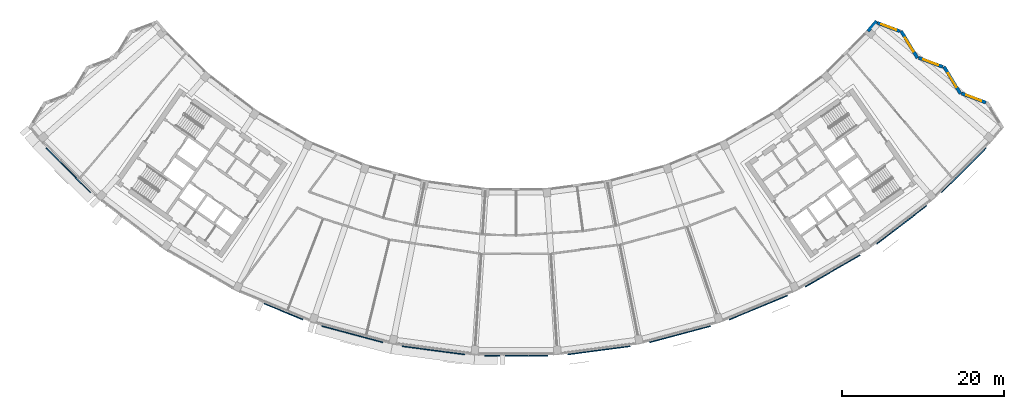
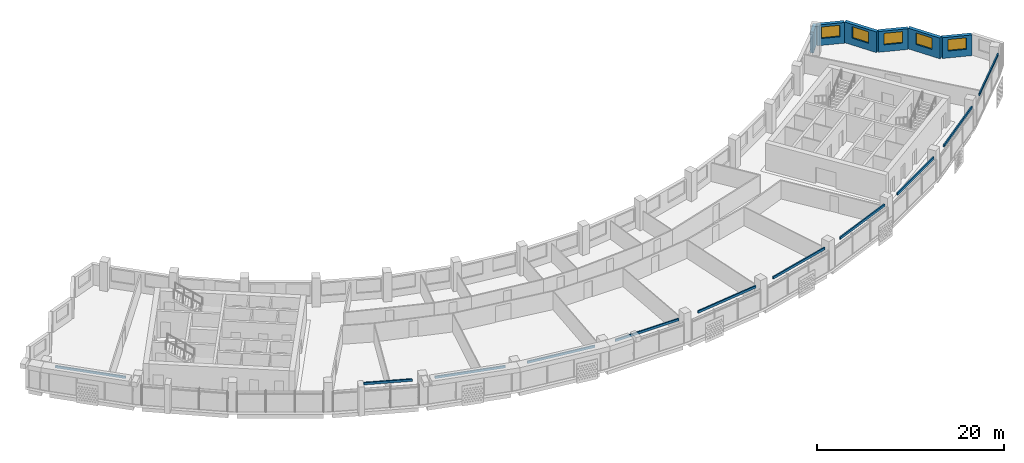
# One storey, part 8 of 28: 11 discrete accessories, 6 walls, 5 windows, 5 openings.
"""IFC4 building model written with IfcOpenShell, lengths in metres."""

from ifc_helpers import new_model, si_unit, direction, frame, frame_2d, origin, origin_2d, place, context, subcontext, project, spatial, rectangle, extrude, material, layer, layer_set, type_object, element, fill, save


model = new_model("IFC4")

# Units and contexts
model_context = context("Model", 3, precision=1e-05, world=origin(), true_north=direction((0.0, 1.0)))
body_context = subcontext(model_context, "Body", "Model", "MODEL_VIEW")
ifc_project = project(units=[si_unit("LENGTHUNIT", "METRE"), si_unit("AREAUNIT", "SQUARE_METRE"), si_unit("VOLUMEUNIT", "CUBIC_METRE"), si_unit("PLANEANGLEUNIT", "RADIAN"), si_unit("MASSUNIT", "GRAM", prefix="KILO")], contexts=[model_context])

# Site, building, storey
site_placement = place(None, origin())
site = spatial("IfcSite", under=ifc_project, at=site_placement, CompositionType="ELEMENT")
building_placement = place(site_placement, origin())
building = spatial("IfcBuilding", under=site, at=building_placement, Name="Qamariyya Broadcast Tower", CompositionType="ELEMENT")
storey_placement = place(building_placement, frame((0.0, 0.0, 269.5)))
storey = spatial("IfcBuildingStorey", under=building, at=storey_placement, Name="L65", CompositionType="ELEMENT", Elevation=269.5)

# Wall, opening, window
ifc_material_1 = material(Name="Terracotta", Category="masonry")
ifc_layer = layer(ifc_material_1, 0.39990234375)
ifc_layer_set = layer_set([ifc_layer], Name="Terracotta clad wall 400")
wall_type = type_object("IfcWallType", Name="Terracotta clad wall 400", PredefinedType="SOLIDWALL", material=ifc_layer_set)
wall_1_placement = place(storey_placement, frame((58.068115234375, -46.97021484375, 0.0), z_axis=(0.0, 0.0, 1.0), x_axis=(-0.937023375479, 0.349266651437, 0.0)))
wall_1 = element("IfcWall", 1, at=wall_1_placement, inside=storey, type_object=wall_type, Name="e-wl-L65-capE1", PredefinedType="SOLIDWALL", context=body_context, shape_type="SweptSolid", body=[
    extrude(rectangle(XDim=3.199951171875, YDim=0.39990234375, at=frame_2d((1.60009765625, 0.0))), origin(), (0.0, 0.0, 1.0), 2.699951171875),
])
opening_1_placement = place(wall_1_placement, frame((0.60009765625, 0.0, 0.89990234375)))
opening_1 = element("IfcOpeningElement", 2, at=opening_1_placement, cuts=wall_1, Name="Opening W4", PredefinedType="OPENING", context=body_context, shape_type="SweptSolid", body=[
    extrude(rectangle(XDim=2.0, YDim=1.5, at=frame_2d((1.0, 0.75))), frame((0.0, 0.2099609375, 0.0), z_axis=(0.0, -1.0, 0.0), x_axis=(1.0, 0.0, 0.0)), (0.0, 0.0, 1.0), 0.419921875),
])
ifc_material_2 = material(Name="Clear low-e double glazed unit in aluminium frame", Category="aluminium")
window_type = type_object("IfcWindowType", Name="Horn bay window 2000 x 1500", PartitioningType="SINGLE_PANEL", PredefinedType="WINDOW", material=ifc_material_2)
window_1_placement = place(opening_1_placement, origin())
window_1 = element("IfcWindow", 3, at=window_1_placement, inside=storey, type_object=window_type, Name="e-w-L65-capE1", OverallHeight=1.5, OverallWidth=2.0, PartitioningType="SINGLE_PANEL", PredefinedType="WINDOW", context=body_context, shape_type="SweptSolid", body=[
    extrude(rectangle(XDim=2.0, YDim=1.5, at=frame_2d((1.0, 0.75))), frame((0.0, 0.030029296875, 0.0), z_axis=(0.0, -1.0, 0.0), x_axis=(1.0, 0.0, 0.0)), (0.0, 0.0, 1.0), 0.06005859375),
])
fill(opening_1, window_1)

wall_2_placement = place(storey_placement, frame((54.926513671875, -45.882080078125, 0.0), z_axis=(0.0, 0.0, 1.0), x_axis=(-0.51807905703, 0.855332736815, 0.0)))
wall_2 = element("IfcWall", 4, at=wall_2_placement, inside=storey, type_object=wall_type, Name="e-wl-L65-capE2", PredefinedType="SOLIDWALL", context=body_context, shape_type="SweptSolid", body=[
    extrude(rectangle(XDim=3.912841796875, YDim=0.39990234375, at=frame_2d((1.95654296875, 0.0))), origin(), (0.0, 0.0, 1.0), 2.699951171875),
])
opening_2_placement = place(wall_2_placement, frame((0.956298828125, 0.0, 0.89990234375)))
opening_2 = element("IfcOpeningElement", 5, at=opening_2_placement, cuts=wall_2, Name="Opening W4", PredefinedType="OPENING", context=body_context, shape_type="SweptSolid", body=[
    extrude(rectangle(XDim=2.0, YDim=1.5, at=frame_2d((1.0, 0.75))), frame((0.0, 0.2099609375, 0.0), z_axis=(0.0, -1.0, 0.0), x_axis=(1.0, 0.0, 0.0)), (0.0, 0.0, 1.0), 0.419921875),
])
window_2_placement = place(opening_2_placement, origin())
window_2 = element("IfcWindow", 6, at=window_2_placement, inside=storey, type_object=window_type, Name="e-w-L65-capE2", OverallHeight=1.5, OverallWidth=2.0, PartitioningType="SINGLE_PANEL", PredefinedType="WINDOW", context=body_context, shape_type="SweptSolid", body=[
    extrude(rectangle(XDim=2.0, YDim=1.5, at=frame_2d((1.0, 0.75))), frame((0.0, 0.030029296875, 0.0), z_axis=(0.0, -1.0, 0.0), x_axis=(1.0, 0.0, 0.0)), (0.0, 0.0, 1.0), 0.06005859375),
])
fill(opening_2, window_2)

wall_3_placement = place(storey_placement, frame((52.75634765625, -42.56494140625, 0.0), z_axis=(0.0, 0.0, 1.0), x_axis=(-0.937045396011, 0.349207568381, 0.0)))
wall_3 = element("IfcWall", 7, at=wall_3_placement, inside=storey, type_object=wall_type, Name="e-wl-L65-capE3", PredefinedType="SOLIDWALL", context=body_context, shape_type="SweptSolid", body=[
    extrude(rectangle(XDim=3.19921875, YDim=0.39990234375, at=frame_2d((1.599609375, 0.0))), origin(), (0.0, 0.0, 1.0), 2.699951171875),
])
opening_3_placement = place(wall_3_placement, frame((0.599609375, 0.0, 0.89990234375)))
opening_3 = element("IfcOpeningElement", 8, at=opening_3_placement, cuts=wall_3, Name="Opening W4", PredefinedType="OPENING", context=body_context, shape_type="SweptSolid", body=[
    extrude(rectangle(XDim=2.0, YDim=1.5, at=frame_2d((1.0, 0.75))), frame((0.0, 0.2099609375, 0.0), z_axis=(0.0, -1.0, 0.0), x_axis=(1.0, 0.0, 0.0)), (0.0, 0.0, 1.0), 0.419921875),
])
window_3_placement = place(opening_3_placement, origin())
window_3 = element("IfcWindow", 9, at=window_3_placement, inside=storey, type_object=window_type, Name="e-w-L65-capE3", OverallHeight=1.5, OverallWidth=2.0, PartitioningType="SINGLE_PANEL", PredefinedType="WINDOW", context=body_context, shape_type="SweptSolid", body=[
    extrude(rectangle(XDim=2.0, YDim=1.5, at=frame_2d((1.0, 0.75))), frame((0.0, 0.030029296875, 0.0), z_axis=(0.0, -1.0, 0.0), x_axis=(1.0, 0.0, 0.0)), (0.0, 0.0, 1.0), 0.06005859375),
])
fill(opening_3, window_3)

wall_4_placement = place(storey_placement, frame((49.615478515625, -41.477294921875, 0.0), z_axis=(0.0, 0.0, 1.0), x_axis=(-0.518178671225, 0.855272392099, 0.0)))
wall_4 = element("IfcWall", 10, at=wall_4_placement, inside=storey, type_object=wall_type, Name="e-wl-L65-capE4", PredefinedType="SOLIDWALL", context=body_context, shape_type="SweptSolid", body=[
    extrude(rectangle(XDim=3.913818359375, YDim=0.39990234375, at=frame_2d((1.95703125, 0.0))), origin(), (0.0, 0.0, 1.0), 2.699951171875),
])
opening_4_placement = place(wall_4_placement, frame((0.95703125, 0.0, 0.89990234375)))
opening_4 = element("IfcOpeningElement", 11, at=opening_4_placement, cuts=wall_4, Name="Opening W4", PredefinedType="OPENING", context=body_context, shape_type="SweptSolid", body=[
    extrude(rectangle(XDim=2.0, YDim=1.5, at=frame_2d((1.0, 0.75))), frame((0.0, 0.2099609375, 0.0), z_axis=(0.0, -1.0, 0.0), x_axis=(1.0, 0.0, 0.0)), (0.0, 0.0, 1.0), 0.419921875),
])
window_4_placement = place(opening_4_placement, origin())
window_4 = element("IfcWindow", 12, at=window_4_placement, inside=storey, type_object=window_type, Name="e-w-L65-capE4", OverallHeight=1.5, OverallWidth=2.0, PartitioningType="SINGLE_PANEL", PredefinedType="WINDOW", context=body_context, shape_type="SweptSolid", body=[
    extrude(rectangle(XDim=2.0, YDim=1.5, at=frame_2d((1.0, 0.75))), frame((0.0, 0.030029296875, 0.0), z_axis=(0.0, -1.0, 0.0), x_axis=(1.0, 0.0, 0.0)), (0.0, 0.0, 1.0), 0.06005859375),
])
fill(opening_4, window_4)

wall_5_placement = place(storey_placement, frame((47.4443359375, -38.159423828125, 0.0), z_axis=(0.0, 0.0, 1.0), x_axis=(-0.937076293723, 0.349124647859, 0.0)))
wall_5 = element("IfcWall", 13, at=wall_5_placement, inside=storey, type_object=wall_type, Name="e-wl-L65-capE5", PredefinedType="SOLIDWALL", context=body_context, shape_type="SweptSolid", body=[
    extrude(rectangle(XDim=2.95947265625, YDim=0.39990234375, at=frame_2d((1.479736328125, 0.0))), origin(), (0.0, 0.0, 1.0), 2.699951171875),
])
opening_5_placement = place(wall_5_placement, frame((0.4794921875, 0.0, 0.89990234375)))
opening_5 = element("IfcOpeningElement", 14, at=opening_5_placement, cuts=wall_5, Name="Opening W4", PredefinedType="OPENING", context=body_context, shape_type="SweptSolid", body=[
    extrude(rectangle(XDim=2.0, YDim=1.5, at=frame_2d((1.0, 0.75))), frame((0.0, 0.2099609375, 0.0), z_axis=(0.0, -1.0, 0.0), x_axis=(1.0, 0.0, 0.0)), (0.0, 0.0, 1.0), 0.419921875),
])
window_5_placement = place(opening_5_placement, origin())
window_5 = element("IfcWindow", 15, at=window_5_placement, inside=storey, type_object=window_type, Name="e-w-L65-capE5", OverallHeight=1.5, OverallWidth=2.0, PartitioningType="SINGLE_PANEL", PredefinedType="WINDOW", context=body_context, shape_type="SweptSolid", body=[
    extrude(rectangle(XDim=2.0, YDim=1.5, at=frame_2d((1.0, 0.75))), frame((0.0, 0.030029296875, 0.0), z_axis=(0.0, -1.0, 0.0), x_axis=(1.0, 0.0, 0.0)), (0.0, 0.0, 1.0), 0.06005859375),
])
fill(opening_5, window_5)

# Wall
wall_6_placement = place(storey_placement, frame((44.555908203125, -36.89794921875, 0.0), z_axis=(0.0, 0.0, 1.0), x_axis=(-0.648883876207, -0.760887452386, 0.0)))
element("IfcWall", 16, at=wall_6_placement, inside=storey, type_object=wall_type, Name="e-wl-L65-in140", PredefinedType="SOLIDWALL", context=body_context, shape_type="SweptSolid", body=[
    extrude(rectangle(XDim=1.656494140625, YDim=0.39990234375, at=frame_2d((0.828125, 0.0))), origin(), (0.0, 0.0, 1.0), 2.699951171875),
])

# Discrete accessories
ifc_material_3 = material(Name="Stainless steel 316", Category="steel")
discrete_accessory_type = type_object("IfcDiscreteAccessoryType", Name="Slab edge fixing angle, stainless steel", PredefinedType="BRACKET", material=ifc_material_3)
discrete_accessory_1_placement = place(storey_placement, frame((-55.336181640625, -55.336181640625, 3.2998046875), z_axis=(0.0, 0.0, 1.0), x_axis=(0.707106781187, -0.707106781187, 0.0)))
element("IfcDiscreteAccessory", 17, at=discrete_accessory_1_placement, inside=storey, type_object=discrete_accessory_type, Name="e-br-L65-01-0", PredefinedType="BRACKET", context=body_context, shape_type="SweptSolid", body=[
    extrude(rectangle(XDim=7.78662109375, YDim=0.14990234375, at=origin_2d()), origin(), (0.0, 0.0, 1.0), 0.300048828125),
])
discrete_accessory_2_placement = place(storey_placement, frame((-28.76416015625, -72.79052734375, 3.2998046875), z_axis=(0.0, 0.0, 1.0), x_axis=(0.923879532511, -0.382683432365, 0.0)))
element("IfcDiscreteAccessory", 18, at=discrete_accessory_2_placement, inside=storey, type_object=discrete_accessory_type, Name="e-br-L65-04-0", PredefinedType="BRACKET", context=body_context, shape_type="SweptSolid", body=[
    extrude(rectangle(XDim=5.224365234375, YDim=0.14990234375, at=origin_2d()), origin(), (0.0, 0.0, 1.0), 0.300048828125),
])
for number, where, z_axis, x_axis, name in (
    (19, (-20.25439453125, -75.590576171875, 3.2998046875), (0.0, 0.0, 1.0), (0.965925826289, -0.258819045103, 0.0), "e-br-L65-05-0"),
    (20, (-10.214599609375, -77.587646484375, 3.2998046875), (0.0, 0.0, 1.0), (0.991444861374, -0.13052619222, 0.0), "e-br-L65-06-0"),
    (21, (0.0, -78.25732421875, 3.2998046875), (0.0, 0.0, 1.0), (1.0, 0.0, 0.0), "e-br-L65-07-0"),
    (22, (10.214599609375, -77.587646484375, 3.2998046875), (0.0, 0.0, 1.0), (0.991444861374, 0.13052619222, 0.0), "e-br-L65-08-0"),
    (23, (20.25439453125, -75.590576171875, 3.2998046875), (0.0, 0.0, 1.0), (0.965925826289, 0.258819045103, 0.0), "e-br-L65-09-0"),
    (24, (29.94775390625, -72.30029296875, 3.2998046875), (0.0, 0.0, 1.0), (0.923879532511, 0.382683432365, 0.0), "e-br-L65-10-0"),
    (25, (39.128662109375, -67.772705078125, 3.2998046875), (0.0, 0.0, 1.0), (0.866025403784, 0.5, 0.0), "e-br-L65-11-0"),
    (26, (47.639892578125, -62.085693359375, 3.2998046875), (0.0, 0.0, 1.0), (0.793353340291, 0.608761429009, 0.0), "e-br-L65-12-0"),
    (27, (55.336181640625, -55.336181640625, 3.2998046875), (0.0, 0.0, 1.0), (0.707106781187, 0.707106781187, 0.0), "e-br-L65-13-0"),
):
    element("IfcDiscreteAccessory", number, at=place(storey_placement, frame(where, z_axis=z_axis, x_axis=x_axis)), inside=storey, type_object=discrete_accessory_type, Name=name, PredefinedType="BRACKET", context=body_context, shape_type="SweptSolid", body=[
        extrude(rectangle(XDim=7.78662109375, YDim=0.14990234375, at=origin_2d()), origin(), (0.0, 0.0, 1.0), 0.300048828125),
    ])

save(model, "model.ifc")
